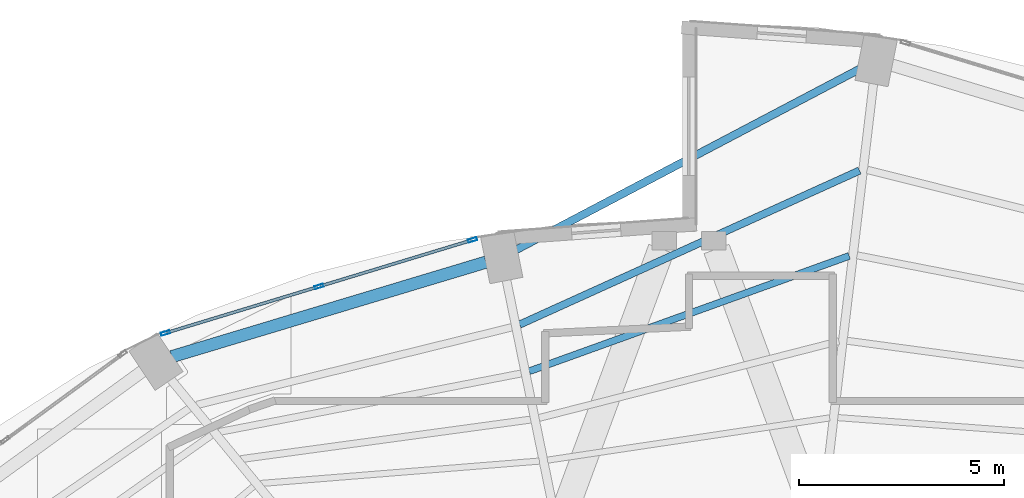
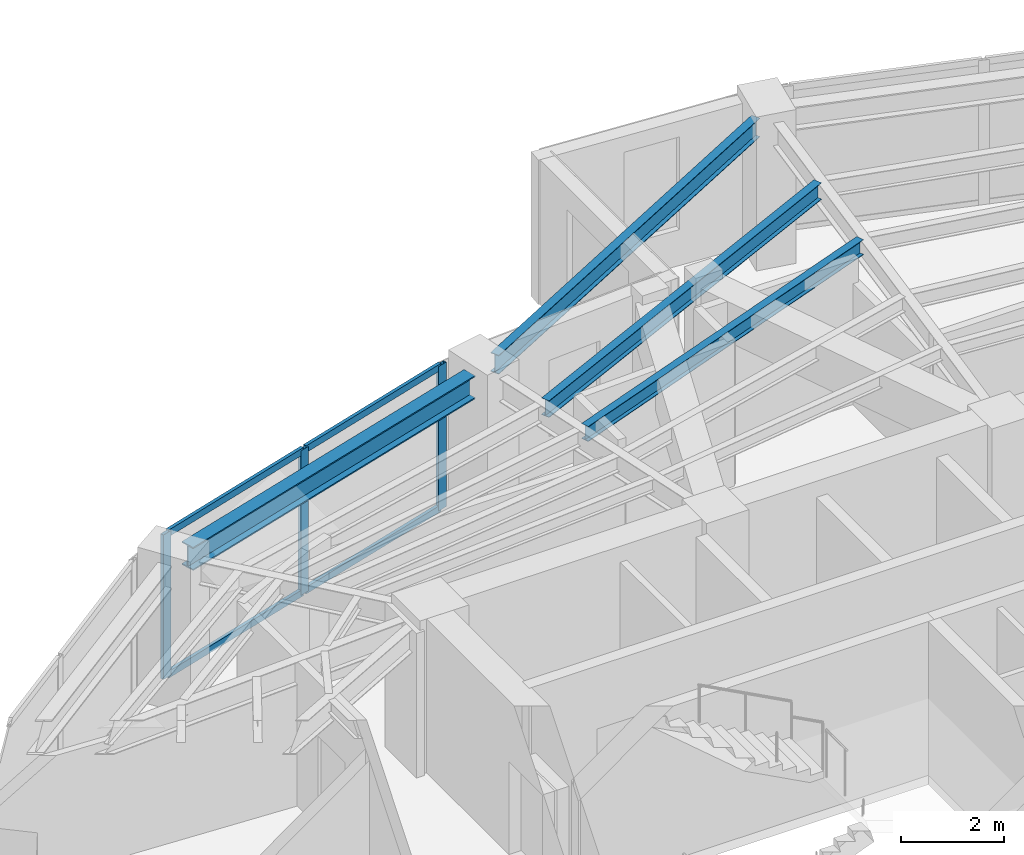
# One storey, part 12 of 20: 7 members, 4 beams, 1 element without a shape of its own.
"""IFC4 building model written with IfcOpenShell, lengths in metres."""

from ifc_helpers import new_model, si_unit, direction, frame, origin, origin_2d, place, context, subcontext, project, spatial, hollow_rectangle, i_section, extrude, material, layer, layer_set, material_profile, profile_set, type_object, element, aggregate, save


model = new_model("IFC4")

# Units and contexts
model_context = context("Model", 3, precision=1e-05, world=origin(), true_north=direction((0.0, 1.0)))
body_context = subcontext(model_context, "Body", "Model", "MODEL_VIEW")
ifc_project = project(units=[si_unit("LENGTHUNIT", "METRE"), si_unit("AREAUNIT", "SQUARE_METRE"), si_unit("VOLUMEUNIT", "CUBIC_METRE"), si_unit("PLANEANGLEUNIT", "RADIAN"), si_unit("MASSUNIT", "GRAM", prefix="KILO")], contexts=[model_context])

# Site, building, storey
site_placement = place(None, origin())
site = spatial("IfcSite", under=ifc_project, at=site_placement, CompositionType="ELEMENT")
building_placement = place(site_placement, origin())
building = spatial("IfcBuilding", under=site, at=building_placement, Name="Lazwardi Medical Tower", CompositionType="ELEMENT")
storey_placement = place(building_placement, frame((0.0, 0.0, 182.06396484375)))
storey = spatial("IfcBuildingStorey", under=building, at=storey_placement, Name="L47", CompositionType="ELEMENT", Elevation=182.06396484375)

# Beams
ifc_material_1 = material(Name="Steel S355", Category="steel")
ifc_material_profile_1 = material_profile(ifc_material_1, i_section(OverallWidth=0.300048828125, OverallDepth=0.550048828125, WebThickness=0.014892578125, FlangeThickness=0.029052734375, at=origin_2d()), Name="HEB 550")
ifc_profile_set_1 = profile_set([ifc_material_profile_1], Name="Steel S355")
beam_type_1 = type_object("IfcBeamType", Name="BM-RB-Z3", PredefinedType="BEAM", material=ifc_profile_set_1)
beam_1_placement = place(storey_placement, frame((31.056884765625, 42.133544921875, 3.153076171875), z_axis=(-0.957616873483, -0.288045002771, 0.0), x_axis=(0.288045002771, -0.957616873483, 0.0)))
element("IfcBeam", 1, at=beam_1_placement, inside=storey, type_object=beam_type_1, Name="Ring beam RB-04 B09 L47", PredefinedType="BEAM", context=body_context, shape_type="SweptSolid", body=[
    extrude(i_section(OverallWidth=0.300048828125, OverallDepth=0.550048828125, WebThickness=0.014892578125, FlangeThickness=0.029052734375, at=origin_2d()), origin(), (0.0, 0.0, 1.0), 7.99951171875),
])
ifc_material_profile_2 = material_profile(ifc_material_1, i_section(OverallWidth=0.179931640625, OverallDepth=0.39990234375, WebThickness=0.008544921875, FlangeThickness=0.013427734375, at=origin_2d()), Name="IPE 400")
ifc_profile_set_2 = profile_set([ifc_material_profile_2], Name="Steel S355")
beam_type_2 = type_object("IfcBeamType", Name="BM-SJ-01", PredefinedType="JOIST", material=ifc_profile_set_2)
beam_2_placement = place(storey_placement, frame((40.155029296875, 44.3642578125, 3.22802734375), z_axis=(-0.910834000674, -0.412772846995, 0.0), x_axis=(0.412772846995, -0.910834000674, 0.0)))
element("IfcBeam", 2, at=beam_2_placement, inside=storey, type_object=beam_type_2, Name="Secondary joist SJ-01 R1 B08 L47", PredefinedType="JOIST", context=body_context, shape_type="SweptSolid", body=[
    extrude(i_section(OverallWidth=0.179931640625, OverallDepth=0.39990234375, WebThickness=0.008544921875, FlangeThickness=0.013427734375, at=origin_2d()), origin(), (0.0, 0.0, 1.0), 9.09130859375),
])
ifc_material_profile_3 = material_profile(ifc_material_1, i_section(OverallWidth=0.169921875, OverallDepth=0.360107421875, WebThickness=0.008056640625, FlangeThickness=0.0126953125, at=origin_2d()), Name="IPE 360")
ifc_profile_set_3 = profile_set([ifc_material_profile_3], Name="Steel S355")
beam_type_3 = type_object("IfcBeamType", Name="BM-SJ-02", PredefinedType="JOIST", material=ifc_profile_set_3)
beam_3_placement = place(storey_placement, frame((39.904052734375, 42.284423828125, 3.248046875), z_axis=(-0.940747993319, -0.339106492221, 0.0), x_axis=(0.339106492221, -0.940747993319, 0.0)))
element("IfcBeam", 3, at=beam_3_placement, inside=storey, type_object=beam_type_3, Name="Secondary joist SJ-02 R2 B08 L47", PredefinedType="JOIST", context=body_context, shape_type="SweptSolid", body=[
    extrude(i_section(OverallWidth=0.169921875, OverallDepth=0.360107421875, WebThickness=0.008056640625, FlangeThickness=0.0126953125, at=origin_2d()), origin(), (0.0, 0.0, 1.0), 8.28662109375),
])
ifc_material_profile_4 = material_profile(ifc_material_1, i_section(OverallWidth=0.18994140625, OverallDepth=0.449951171875, WebThickness=0.009521484375, FlangeThickness=0.0146484375, at=origin_2d()), Name="IPE 450")
ifc_profile_set_4 = profile_set([ifc_material_profile_4], Name="Steel S355")
beam_type_4 = type_object("IfcBeamType", Name="BM-SP-01", PredefinedType="SPANDREL", material=ifc_profile_set_4)
beam_4_placement = place(storey_placement, frame((40.206298828125, 46.862548828125, 3.203125), z_axis=(-0.884926578414, -0.465730556026, 0.0), x_axis=(0.465730556026, -0.884926578414, 0.0)))
element("IfcBeam", 4, at=beam_4_placement, inside=storey, type_object=beam_type_4, Name="Spandrel beam SP-01 B08 L47", PredefinedType="SPANDREL", context=body_context, shape_type="SweptSolid", body=[
    extrude(i_section(OverallWidth=0.18994140625, OverallDepth=0.449951171875, WebThickness=0.009521484375, FlangeThickness=0.0146484375, at=origin_2d()), origin(), (0.0, 0.0, 1.0), 9.506591796875),
])

# Curtain wall, members
ifc_material_2 = material(Name="Anodised bronze aluminium and solar control glazing", Category="aluminium")
ifc_layer = layer(ifc_material_2, 0.195068359375)
ifc_layer_set = layer_set([ifc_layer], Name="Anodised bronze aluminium and solar control glazing")
curtain_wall_type = type_object("IfcCurtainWallType", Name="CW-SYS-03", PredefinedType="NOTDEFINED", material=ifc_layer_set)
curtain_wall_placement = place(storey_placement, origin())
curtain_wall = element("IfcCurtainWall", 5, at=curtain_wall_placement, inside=storey, type_object=curtain_wall_type, Name="L47 Unitised bronze curtain wall CW-03", PredefinedType="NOTDEFINED")
ifc_material_3 = material(Name="Anodised bronze aluminium", Category="aluminium")
ifc_material_profile_5 = material_profile(ifc_material_3, hollow_rectangle(XDim=0.074951171875, YDim=0.219970703125, WallThickness=0.00390625, at=origin_2d()), Name="ALU-MULLION 220x75x4")
ifc_profile_set_5 = profile_set([ifc_material_profile_5], Name="Anodised bronze aluminium")
member_type_1 = type_object("IfcMemberType", Name="CW-MUL-01", PredefinedType="MULLION", material=ifc_profile_set_5)
member_1_placement = place(storey_placement, frame((30.72802734375, 42.674072265625, 0.0), z_axis=(0.0, 0.0, 1.0), x_axis=(0.290280785441, -0.956941516292, 0.0)))
member_1 = element("IfcMember", 6, at=member_1_placement, type_object=member_type_1, Name="CW-03 mullion 1", PredefinedType="MULLION", context=body_context, shape_type="SweptSolid", body=[
    extrude(hollow_rectangle(XDim=0.074951171875, YDim=0.219970703125, WallThickness=0.00390625, at=origin_2d()), origin(), (0.0, 0.0, 1.0), 3.427978515625),
])
member_2_placement = place(storey_placement, frame((26.98486328125, 41.538818359375, 0.0), z_axis=(0.0, 0.0, 1.0), x_axis=(0.290280785441, -0.956941516292, 0.0)))
member_2 = element("IfcMember", 7, at=member_2_placement, type_object=member_type_1, Name="CW-03 mullion 2", PredefinedType="MULLION", context=body_context, shape_type="SweptSolid", body=[
    extrude(hollow_rectangle(XDim=0.074951171875, YDim=0.219970703125, WallThickness=0.00390625, at=origin_2d()), origin(), (0.0, 0.0, 1.0), 3.427978515625),
])
member_3_placement = place(storey_placement, frame((23.241943359375, 40.4033203125, 0.0), z_axis=(0.0, 0.0, 1.0), x_axis=(0.290280785441, -0.956941516292, 0.0)))
member_3 = element("IfcMember", 8, at=member_3_placement, type_object=member_type_1, Name="CW-03 mullion 3", PredefinedType="MULLION", context=body_context, shape_type="SweptSolid", body=[
    extrude(hollow_rectangle(XDim=0.074951171875, YDim=0.219970703125, WallThickness=0.00390625, at=origin_2d()), origin(), (0.0, 0.0, 1.0), 3.427978515625),
])
ifc_material_profile_6 = material_profile(ifc_material_3, hollow_rectangle(XDim=0.074951171875, YDim=0.159912109375, WallThickness=0.00390625, at=origin_2d()), Name="ALU-TRANSOM 160x75x4")
ifc_profile_set_6 = profile_set([ifc_material_profile_6], Name="Anodised bronze aluminium")
member_type_2 = type_object("IfcMemberType", Name="CW-TRN-01", PredefinedType="USERDEFINED", material=ifc_profile_set_6)
member_4_placement = place(storey_placement, frame((30.692138671875, 42.663330078125, 0.03759765625), z_axis=(-0.956935517424, -0.290300560612, 0.0), x_axis=(0.290300560612, -0.956935517424, 0.0)))
member_4 = element("IfcMember", 9, at=member_4_placement, type_object=member_type_2, Name="CW-03 transom 1.1", ObjectType="TRANSOM", PredefinedType="USERDEFINED", context=body_context, shape_type="SweptSolid", body=[
    extrude(hollow_rectangle(XDim=0.074951171875, YDim=0.159912109375, WallThickness=0.00390625, at=origin_2d()), origin(), (0.0, 0.0, 1.0), 3.836669921875),
])
member_5_placement = place(storey_placement, frame((30.692138671875, 42.663330078125, 3.390625), z_axis=(-0.956935517424, -0.290300560612, 0.0), x_axis=(0.290300560612, -0.956935517424, 0.0)))
member_5 = element("IfcMember", 10, at=member_5_placement, type_object=member_type_2, Name="CW-03 transom 1.2", ObjectType="TRANSOM", PredefinedType="USERDEFINED", context=body_context, shape_type="SweptSolid", body=[
    extrude(hollow_rectangle(XDim=0.074951171875, YDim=0.159912109375, WallThickness=0.00390625, at=origin_2d()), origin(), (0.0, 0.0, 1.0), 3.836669921875),
])
member_6_placement = place(storey_placement, frame((26.948974609375, 41.52783203125, 0.03759765625), z_axis=(-0.956930154175, -0.290318239233, 0.0), x_axis=(0.290318239233, -0.956930154175, 0.0)))
member_6 = element("IfcMember", 11, at=member_6_placement, type_object=member_type_2, Name="CW-03 transom 2.1", ObjectType="TRANSOM", PredefinedType="USERDEFINED", context=body_context, shape_type="SweptSolid", body=[
    extrude(hollow_rectangle(XDim=0.074951171875, YDim=0.159912109375, WallThickness=0.00390625, at=origin_2d()), origin(), (0.0, 0.0, 1.0), 3.83642578125),
])
member_7_placement = place(storey_placement, frame((26.948974609375, 41.52783203125, 3.390625), z_axis=(-0.956930154175, -0.290318239233, 0.0), x_axis=(0.290318239233, -0.956930154175, 0.0)))
member_7 = element("IfcMember", 12, at=member_7_placement, type_object=member_type_2, Name="CW-03 transom 2.2", ObjectType="TRANSOM", PredefinedType="USERDEFINED", context=body_context, shape_type="SweptSolid", body=[
    extrude(hollow_rectangle(XDim=0.074951171875, YDim=0.159912109375, WallThickness=0.00390625, at=origin_2d()), origin(), (0.0, 0.0, 1.0), 3.83642578125),
])
aggregate(curtain_wall, [member_1, member_2, member_3, member_4, member_5, member_6, member_7])

save(model, "model.ifc")
